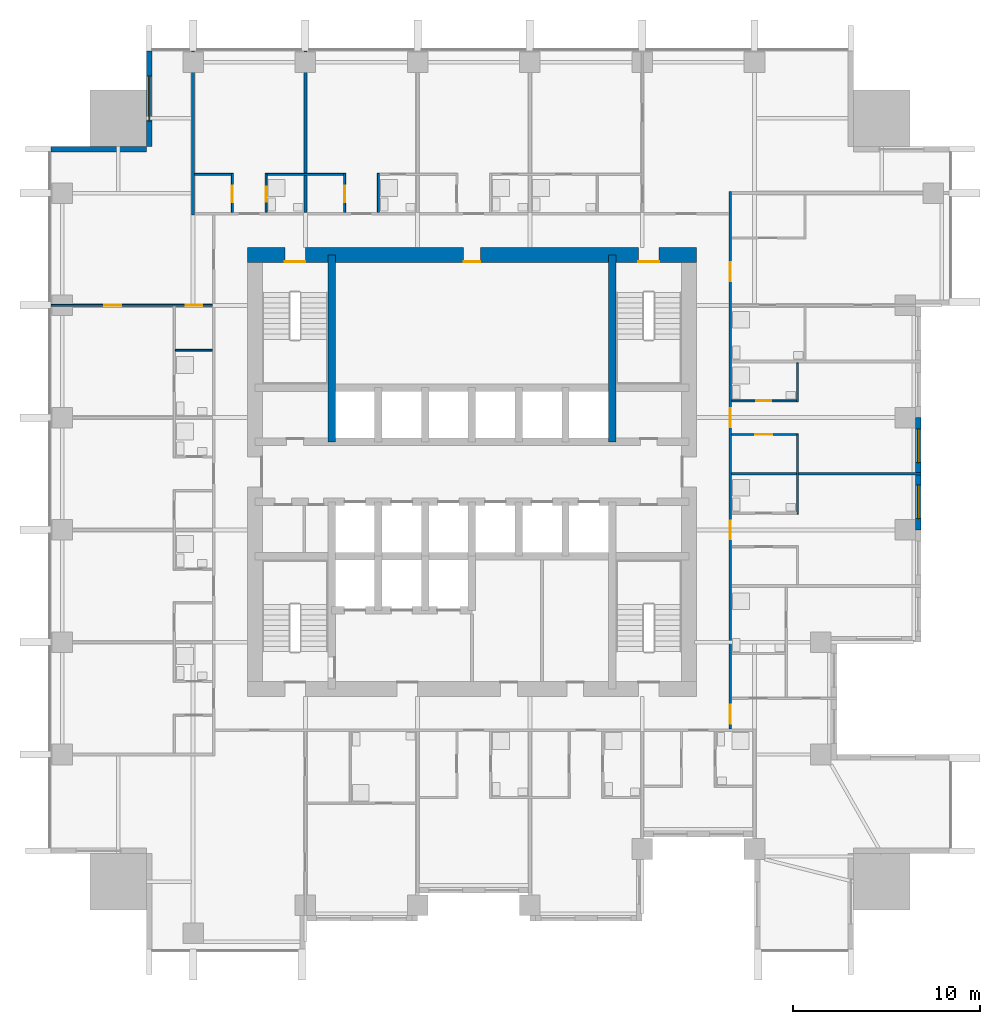
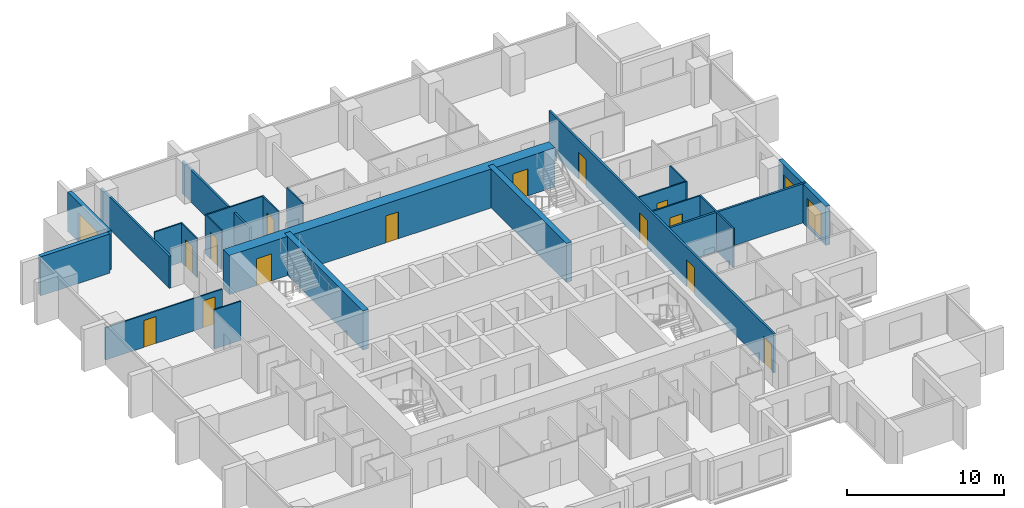
# One storey, part 7 of 11: 22 walls, 14 doors, 3 windows, 17 openings.
"""IFC4 building model written with IfcOpenShell, lengths in metres."""

from ifc_helpers import new_model, si_unit, direction, frame, frame_2d, origin, place, context, subcontext, project, spatial, rectangle, extrude, material, layer, layer_set, type_object, element, fill, save


model = new_model("IFC4")

# Units and contexts
model_context = context("Model", 3, precision=1e-05, world=origin(), true_north=direction((0.0, 1.0)))
body_context = subcontext(model_context, "Body", "Model", "MODEL_VIEW")
ifc_project = project(units=[si_unit("LENGTHUNIT", "METRE"), si_unit("AREAUNIT", "SQUARE_METRE"), si_unit("VOLUMEUNIT", "CUBIC_METRE"), si_unit("PLANEANGLEUNIT", "RADIAN"), si_unit("MASSUNIT", "GRAM", prefix="KILO")], contexts=[model_context])

# Site, building, storey
site_placement = place(None, origin())
site = spatial("IfcSite", under=ifc_project, at=site_placement, CompositionType="ELEMENT")
building_placement = place(site_placement, origin())
building = spatial("IfcBuilding", under=site, at=building_placement, Name="Amberfall Residences", CompositionType="ELEMENT")
storey_placement = place(building_placement, frame((0.0, 0.0, 91.89990234375)))
storey = spatial("IfcBuildingStorey", under=building, at=storey_placement, Name="L24", CompositionType="ELEMENT", Elevation=91.89990234375)

# Wall, opening, window
ifc_material_1 = material(Name="Pale stone cladding on insulated backing", Category="masonry")
ifc_layer_1 = layer(ifc_material_1, 0.300048828125)
ifc_layer_set_1 = layer_set([ifc_layer_1], Name="Bronze clad wall 300")
wall_type_1 = type_object("IfcWallType", Name="Bronze clad wall 300", PredefinedType="SOLIDWALL", material=ifc_layer_set_1)
wall_1_placement = place(storey_placement, frame((57.25, 68.0, 0.0), z_axis=(0.0, 0.0, 1.0), x_axis=(0.0, -1.0, 0.0)))
wall_1 = element("IfcWall", 1, at=wall_1_placement, inside=storey, type_object=wall_type_1, Name="External wall L24 NW", PredefinedType="SOLIDWALL", context=body_context, shape_type="SweptSolid", body=[
    extrude(rectangle(XDim=5.10009765625, YDim=0.300048828125, at=frame_2d((2.550048828125, 0.0))), origin(), (0.0, 0.0, 1.0), 3.050048828125),
])
opening_1_placement = place(wall_1_placement, frame((1.35009765625, 0.0, 0.14990234375)))
opening_1 = element("IfcOpeningElement", 2, at=opening_1_placement, cuts=wall_1, Name="Opening WN5", PredefinedType="OPENING", context=body_context, shape_type="SweptSolid", body=[
    extrude(rectangle(XDim=2.39990234375, YDim=2.10009765625, at=frame_2d((1.199951171875, 1.050048828125))), frame((0.0, 0.159912109375, 0.0), z_axis=(0.0, -1.0, 0.0), x_axis=(1.0, 0.0, 0.0)), (0.0, 0.0, 1.0), 0.320068359375),
])
ifc_material_2 = material(Name="Bronze aluminium framed glazing", Category="aluminium")
window_type_1 = type_object("IfcWindowType", Name="Glazed opening 2400 x 2100 bronze", PartitioningType="DOUBLE_PANEL_VERTICAL", PredefinedType="WINDOW", material=ifc_material_2)
window_1_placement = place(opening_1_placement, origin())
window_1 = element("IfcWindow", 3, at=window_1_placement, inside=storey, type_object=window_type_1, Name="Window L24 NW", OverallHeight=2.10009765625, OverallWidth=2.39990234375, PartitioningType="DOUBLE_PANEL_VERTICAL", PredefinedType="WINDOW", context=body_context, shape_type="SweptSolid", body=[
    extrude(rectangle(XDim=2.39990234375, YDim=2.10009765625, at=frame_2d((1.199951171875, 1.050048828125))), frame((0.0, 0.030029296875, 0.0), z_axis=(0.0, -1.0, 0.0), x_axis=(1.0, 0.0, 0.0)), (0.0, 0.0, 1.0), 0.06005859375),
])
fill(opening_1, window_1)

# Wall
wall_2_placement = place(storey_placement, frame((57.10009765625, 62.75, 0.0), z_axis=(0.0, 0.0, 1.0), x_axis=(-1.0, 0.0, 0.0)))
element("IfcWall", 4, at=wall_2_placement, inside=storey, type_object=wall_type_1, Name="External wall L24 NW", PredefinedType="SOLIDWALL", context=body_context, shape_type="SweptSolid", body=[
    extrude(rectangle(XDim=5.10009765625, YDim=0.300048828125, at=frame_2d((2.550048828125, 0.0))), origin(), (0.0, 0.0, 1.0), 3.050048828125),
])

# Wall, openings, windows
wall_3_placement = place(storey_placement, frame((98.35009765625, 42.39990234375, 0.0), z_axis=(0.0, 0.0, 1.0), x_axis=(0.0, 1.0, 0.0)))
wall_3 = element("IfcWall", 5, at=wall_3_placement, inside=storey, type_object=wall_type_1, Name="Stone wall L24 E", PredefinedType="SOLIDWALL", context=body_context, shape_type="SweptSolid", body=[
    extrude(rectangle(XDim=6.0, YDim=0.300048828125, at=frame_2d((3.0, 0.0))), origin(), (0.0, 0.0, 1.0), 3.050048828125),
])
opening_2_placement = place(wall_3_placement, frame((0.60009765625, 0.0, 0.14990234375)))
opening_2 = element("IfcOpeningElement", 6, at=opening_2_placement, cuts=wall_3, Name="Opening WN6", PredefinedType="OPENING", context=body_context, shape_type="SweptSolid", body=[
    extrude(rectangle(XDim=1.800048828125, YDim=2.10009765625, at=frame_2d((0.89990234375, 1.050048828125))), frame((0.0, 0.159912109375, 0.0), z_axis=(0.0, -1.0, 0.0), x_axis=(1.0, 0.0, 0.0)), (0.0, 0.0, 1.0), 0.320068359375),
])
opening_3_placement = place(wall_3_placement, frame((3.60009765625, 0.0, 0.14990234375)))
opening_3 = element("IfcOpeningElement", 7, at=opening_3_placement, cuts=wall_3, Name="Opening WN6", PredefinedType="OPENING", context=body_context, shape_type="SweptSolid", body=[
    extrude(rectangle(XDim=1.800048828125, YDim=2.10009765625, at=frame_2d((0.89990234375, 1.050048828125))), frame((0.0, 0.159912109375, 0.0), z_axis=(0.0, -1.0, 0.0), x_axis=(1.0, 0.0, 0.0)), (0.0, 0.0, 1.0), 0.320068359375),
])
window_type_2 = type_object("IfcWindowType", Name="Glazed opening 1800 x 2100 bronze", PartitioningType="DOUBLE_PANEL_VERTICAL", PredefinedType="WINDOW", material=ifc_material_2)
window_2_placement = place(opening_2_placement, origin())
window_2 = element("IfcWindow", 8, at=window_2_placement, inside=storey, type_object=window_type_2, Name="Window L24 E", OverallHeight=2.10009765625, OverallWidth=1.800048828125, PartitioningType="DOUBLE_PANEL_VERTICAL", PredefinedType="WINDOW", context=body_context, shape_type="SweptSolid", body=[
    extrude(rectangle(XDim=1.800048828125, YDim=2.10009765625, at=frame_2d((0.89990234375, 1.050048828125))), frame((0.0, 0.030029296875, 0.0), z_axis=(0.0, -1.0, 0.0), x_axis=(1.0, 0.0, 0.0)), (0.0, 0.0, 1.0), 0.06005859375),
])
fill(opening_2, window_2)
window_3_placement = place(opening_3_placement, origin())
window_3 = element("IfcWindow", 9, at=window_3_placement, inside=storey, type_object=window_type_2, Name="Window L24 E", OverallHeight=2.10009765625, OverallWidth=1.800048828125, PartitioningType="DOUBLE_PANEL_VERTICAL", PredefinedType="WINDOW", context=body_context, shape_type="SweptSolid", body=[
    extrude(rectangle(XDim=1.800048828125, YDim=2.10009765625, at=frame_2d((0.89990234375, 1.050048828125))), frame((0.0, 0.030029296875, 0.0), z_axis=(0.0, -1.0, 0.0), x_axis=(1.0, 0.0, 0.0)), (0.0, 0.0, 1.0), 0.06005859375),
])
fill(opening_3, window_3)

# Walls
ifc_material_3 = material(Name="Concrete C70", Category="concrete")
ifc_layer_2 = layer(ifc_material_3, 0.39990234375)
ifc_layer_set_2 = layer_set([ifc_layer_2], Name="Core wall 400 C70")
wall_type_2 = type_object("IfcWallType", Name="Core wall 400 C70", PredefinedType="SHEAR", material=ifc_layer_set_2)
for number, where, z_axis, x_axis, name in (
    (10, (67.0, 47.10009765625, 0.0), (0.0, 0.0, 1.0), (0.0, 1.0, 0.0), "Core wall RW4 L24 V45N"),
    (11, (82.0, 47.10009765625, 0.0), (0.0, 0.0, 1.0), (0.0, 1.0, 0.0), "Core wall RW4 L24 V195N"),
):
    element("IfcWall", number, at=place(storey_placement, frame(where, z_axis=z_axis, x_axis=x_axis)), inside=storey, type_object=wall_type_2, Name=name, PredefinedType="SHEAR", context=body_context, shape_type="SweptSolid", body=[
        extrude(rectangle(XDim=10.0, YDim=0.39990234375, at=frame_2d((5.0, 0.0))), origin(), (0.0, 0.0, 1.0), 3.050048828125),
    ])

# Wall, openings, doors
ifc_layer_3 = layer(ifc_material_3, 0.800048828125)
ifc_layer_set_3 = layer_set([ifc_layer_3], Name="Core wall 800 C70")
wall_type_3 = type_object("IfcWallType", Name="Core wall 800 C70", PredefinedType="SHEAR", material=ifc_layer_set_3)
wall_4_placement = place(storey_placement, frame((62.5, 57.10009765625, 0.0), z_axis=(0.0, 0.0, 1.0), x_axis=(1.0, 0.0, 0.0)))
wall_4 = element("IfcWall", 12, at=wall_4_placement, inside=storey, type_object=wall_type_3, Name="Core wall RW3 L24 ON", PredefinedType="SHEAR", context=body_context, shape_type="SweptSolid", body=[
    extrude(rectangle(XDim=24.0, YDim=0.800048828125, at=frame_2d((12.0, 0.0))), origin(), (0.0, 0.0, 1.0), 3.050048828125),
])
opening_4_placement = place(wall_4_placement, frame((20.89990234375, 0.0, 0.0)))
opening_4 = element("IfcOpeningElement", 13, at=opening_4_placement, cuts=wall_4, Name="Opening SD1", PredefinedType="OPENING", context=body_context, shape_type="SweptSolid", body=[
    extrude(rectangle(XDim=1.10009765625, YDim=2.10009765625, at=frame_2d((0.550048828125, 1.050048828125))), frame((0.0, 0.409912109375, 0.0), z_axis=(0.0, -1.0, 0.0), x_axis=(1.0, 0.0, 0.0)), (0.0, 0.0, 1.0), 0.820068359375),
])
opening_5_placement = place(wall_4_placement, frame((2.0, 0.0, 0.0)))
opening_5 = element("IfcOpeningElement", 14, at=opening_5_placement, cuts=wall_4, Name="Opening SD1", PredefinedType="OPENING", context=body_context, shape_type="SweptSolid", body=[
    extrude(rectangle(XDim=1.10009765625, YDim=2.10009765625, at=frame_2d((0.550048828125, 1.050048828125))), frame((0.0, 0.409912109375, 0.0), z_axis=(0.0, -1.0, 0.0), x_axis=(1.0, 0.0, 0.0)), (0.0, 0.0, 1.0), 0.820068359375),
])
opening_6_placement = place(wall_4_placement, frame((11.550048828125, 0.0, 0.0)))
opening_6 = element("IfcOpeningElement", 15, at=opening_6_placement, cuts=wall_4, Name="Opening RD1", PredefinedType="OPENING", context=body_context, shape_type="SweptSolid", body=[
    extrude(rectangle(XDim=0.89990234375, YDim=2.10009765625, at=frame_2d((0.449951171875, 1.050048828125))), frame((0.0, 0.409912109375, 0.0), z_axis=(0.0, -1.0, 0.0), x_axis=(1.0, 0.0, 0.0)), (0.0, 0.0, 1.0), 0.820068359375),
])
ifc_material_4 = material(Name="Steel fire door set", Category="steel")
door_type_1 = type_object("IfcDoorType", Name="Service room door 900 x 2100", OperationType="SINGLE_SWING_LEFT", PredefinedType="DOOR", material=ifc_material_4)
door_1_placement = place(opening_6_placement, origin())
door_1 = element("IfcDoor", 16, at=door_1_placement, inside=storey, type_object=door_type_1, Name="RD1 L24", OperationType="SINGLE_SWING_RIGHT", OverallHeight=2.10009765625, OverallWidth=0.89990234375, PredefinedType="DOOR", context=body_context, shape_type="SweptSolid", body=[
    extrude(rectangle(XDim=0.89990234375, YDim=2.10009765625, at=frame_2d((0.449951171875, 1.050048828125))), frame((0.0, -0.33740234375, 0.0), z_axis=(0.0, -1.0, 0.0), x_axis=(1.0, 0.0, 0.0)), (0.0, 0.0, 1.0), 0.050048828125),
])
fill(opening_6, door_1)
door_type_2 = type_object("IfcDoorType", Name="Stair door 1100 x 2100", OperationType="SINGLE_SWING_LEFT", PredefinedType="DOOR", material=ifc_material_4)
door_2_placement = place(opening_4_placement, origin())
door_2 = element("IfcDoor", 17, at=door_2_placement, inside=storey, type_object=door_type_2, Name="SD1 L24", OperationType="SINGLE_SWING_RIGHT", OverallHeight=2.10009765625, OverallWidth=1.10009765625, PredefinedType="DOOR", context=body_context, shape_type="SweptSolid", body=[
    extrude(rectangle(XDim=1.10009765625, YDim=2.10009765625, at=frame_2d((0.550048828125, 1.050048828125))), frame((0.0, -0.33740234375, 0.0), z_axis=(0.0, -1.0, 0.0), x_axis=(1.0, 0.0, 0.0)), (0.0, 0.0, 1.0), 0.050048828125),
])
fill(opening_4, door_2)
door_3_placement = place(opening_5_placement, origin())
door_3 = element("IfcDoor", 18, at=door_3_placement, inside=storey, type_object=door_type_2, Name="SD1 L24", OperationType="SINGLE_SWING_LEFT", OverallHeight=2.10009765625, OverallWidth=1.10009765625, PredefinedType="DOOR", context=body_context, shape_type="SweptSolid", body=[
    extrude(rectangle(XDim=1.10009765625, YDim=2.10009765625, at=frame_2d((0.550048828125, 1.050048828125))), frame((0.0, -0.33740234375, 0.0), z_axis=(0.0, -1.0, 0.0), x_axis=(1.0, 0.0, 0.0)), (0.0, 0.0, 1.0), 0.050048828125),
])
fill(opening_5, door_3)

# Wall, opening, door
ifc_material_5 = material(Name="Gypsum board on metal stud")
ifc_layer_4 = layer(ifc_material_5, 0.10009765625)
ifc_layer_set_4 = layer_set([ifc_layer_4], Name="Flat partition 100")
wall_type_4 = type_object("IfcWallType", Name="Flat partition 100", PredefinedType="PARTITIONING", material=ifc_layer_set_4)
wall_5_placement = place(storey_placement, frame((61.699951171875, 59.375, 0.0), z_axis=(0.0, 0.0, 1.0), x_axis=(0.0, 1.0, 0.0)))
wall_5 = element("IfcWall", 19, at=wall_5_placement, inside=storey, type_object=wall_type_4, Name="Partition 005", PredefinedType="PARTITIONING", context=body_context, shape_type="SweptSolid", body=[
    extrude(rectangle(XDim=2.074951171875, YDim=0.10009765625, at=frame_2d((1.03759765625, 0.0))), origin(), (0.0, 0.0, 1.0), 3.050048828125),
])
opening_7_placement = place(wall_5_placement, frame((0.52490234375, 0.0, 0.0)))
opening_7 = element("IfcOpeningElement", 20, at=opening_7_placement, cuts=wall_5, Name="Opening D41", PredefinedType="OPENING", context=body_context, shape_type="SweptSolid", body=[
    extrude(rectangle(XDim=0.89990234375, YDim=2.10009765625, at=frame_2d((0.449951171875, 1.050048828125))), frame((0.0, 0.06005859375, 0.0), z_axis=(0.0, -1.0, 0.0), x_axis=(1.0, 0.0, 0.0)), (0.0, 0.0, 1.0), 0.1201171875),
])
ifc_material_6 = material(Name="Timber", Category="wood")
door_type_3 = type_object("IfcDoorType", Name="Internal door 900 x 2100", OperationType="SINGLE_SWING_LEFT", PredefinedType="DOOR", material=ifc_material_6)
door_4_placement = place(opening_7_placement, origin())
door_4 = element("IfcDoor", 21, at=door_4_placement, inside=storey, type_object=door_type_3, Name="Door 2409 kitchen", OperationType="SINGLE_SWING_LEFT", OverallHeight=2.10009765625, OverallWidth=0.89990234375, PredefinedType="DOOR", context=body_context, shape_type="SweptSolid", body=[
    extrude(rectangle(XDim=0.89990234375, YDim=2.10009765625, at=frame_2d((0.449951171875, 1.050048828125))), frame((0.0, 0.02490234375, 0.0), z_axis=(0.0, -1.0, 0.0), x_axis=(1.0, 0.0, 0.0)), (0.0, 0.0, 1.0), 0.050048828125),
])
fill(opening_7, door_4)

wall_6_placement = place(storey_placement, frame((63.5, 61.449951171875, 0.0), z_axis=(0.0, 0.0, 1.0), x_axis=(0.0, -1.0, 0.0)))
wall_6 = element("IfcWall", 22, at=wall_6_placement, inside=storey, type_object=wall_type_4, Name="Partition 006", PredefinedType="PARTITIONING", context=body_context, shape_type="SweptSolid", body=[
    extrude(rectangle(XDim=2.074951171875, YDim=0.10009765625, at=frame_2d((1.03759765625, 0.0))), origin(), (0.0, 0.0, 1.0), 3.050048828125),
])
opening_8_placement = place(wall_6_placement, frame((0.699951171875, 0.0, 0.0)))
opening_8 = element("IfcOpeningElement", 23, at=opening_8_placement, cuts=wall_6, Name="Opening D42", PredefinedType="OPENING", context=body_context, shape_type="SweptSolid", body=[
    extrude(rectangle(XDim=0.800048828125, YDim=2.10009765625, at=frame_2d((0.39990234375, 1.050048828125))), frame((0.0, 0.06005859375, 0.0), z_axis=(0.0, -1.0, 0.0), x_axis=(1.0, 0.0, 0.0)), (0.0, 0.0, 1.0), 0.1201171875),
])
door_type_4 = type_object("IfcDoorType", Name="Bathroom door 800 x 2100", OperationType="SINGLE_SWING_LEFT", PredefinedType="DOOR", material=ifc_material_6)
door_5_placement = place(opening_8_placement, origin())
door_5 = element("IfcDoor", 24, at=door_5_placement, inside=storey, type_object=door_type_4, Name="Door 2409 bath1", OperationType="SINGLE_SWING_LEFT", OverallHeight=2.10009765625, OverallWidth=0.800048828125, PredefinedType="DOOR", context=body_context, shape_type="SweptSolid", body=[
    extrude(rectangle(XDim=0.800048828125, YDim=2.10009765625, at=frame_2d((0.39990234375, 1.050048828125))), frame((0.0, 0.02490234375, 0.0), z_axis=(0.0, -1.0, 0.0), x_axis=(1.0, 0.0, 0.0)), (0.0, 0.0, 1.0), 0.050048828125),
])
fill(opening_8, door_5)

wall_7_placement = place(storey_placement, frame((67.699951171875, 59.375, 0.0), z_axis=(0.0, 0.0, 1.0), x_axis=(0.0, 1.0, 0.0)))
wall_7 = element("IfcWall", 25, at=wall_7_placement, inside=storey, type_object=wall_type_4, Name="Partition 008", PredefinedType="PARTITIONING", context=body_context, shape_type="SweptSolid", body=[
    extrude(rectangle(XDim=2.074951171875, YDim=0.10009765625, at=frame_2d((1.03759765625, 0.0))), origin(), (0.0, 0.0, 1.0), 3.050048828125),
])
opening_9_placement = place(wall_7_placement, frame((0.52490234375, 0.0, 0.0)))
opening_9 = element("IfcOpeningElement", 26, at=opening_9_placement, cuts=wall_7, Name="Opening D41", PredefinedType="OPENING", context=body_context, shape_type="SweptSolid", body=[
    extrude(rectangle(XDim=0.89990234375, YDim=2.10009765625, at=frame_2d((0.449951171875, 1.050048828125))), frame((0.0, 0.06005859375, 0.0), z_axis=(0.0, -1.0, 0.0), x_axis=(1.0, 0.0, 0.0)), (0.0, 0.0, 1.0), 0.1201171875),
])
door_6_placement = place(opening_9_placement, origin())
door_6 = element("IfcDoor", 27, at=door_6_placement, inside=storey, type_object=door_type_3, Name="Door 2410 kitchen", OperationType="SINGLE_SWING_LEFT", OverallHeight=2.10009765625, OverallWidth=0.89990234375, PredefinedType="DOOR", context=body_context, shape_type="SweptSolid", body=[
    extrude(rectangle(XDim=0.89990234375, YDim=2.10009765625, at=frame_2d((0.449951171875, 1.050048828125))), frame((0.0, 0.02490234375, 0.0), z_axis=(0.0, -1.0, 0.0), x_axis=(1.0, 0.0, 0.0)), (0.0, 0.0, 1.0), 0.050048828125),
])
fill(opening_9, door_6)

# Walls
wall_8_placement = place(storey_placement, frame((69.5, 59.375, 0.0), z_axis=(0.0, 0.0, 1.0), x_axis=(0.0, 1.0, 0.0)))
element("IfcWall", 28, at=wall_8_placement, inside=storey, type_object=wall_type_4, Name="Partition 010", PredefinedType="PARTITIONING", context=body_context, shape_type="SweptSolid", body=[
    extrude(rectangle(XDim=2.074951171875, YDim=0.10009765625, at=frame_2d((1.03759765625, 0.0))), origin(), (0.0, 0.0, 1.0), 3.050048828125),
])
wall_9_placement = place(storey_placement, frame((91.89990234375, 43.25, 0.0), z_axis=(0.0, 0.0, 1.0), x_axis=(0.0, 1.0, 0.0)))
element("IfcWall", 29, at=wall_9_placement, inside=storey, type_object=wall_type_4, Name="Partition 023", PredefinedType="PARTITIONING", context=body_context, shape_type="SweptSolid", body=[
    extrude(rectangle(XDim=4.300048828125, YDim=0.10009765625, at=frame_2d((2.14990234375, 0.0))), origin(), (0.0, 0.0, 1.0), 3.050048828125),
])
wall_10_placement = place(storey_placement, frame((91.89990234375, 49.25, 0.0), z_axis=(0.0, 0.0, 1.0), x_axis=(0.0, 1.0, 0.0)))
element("IfcWall", 30, at=wall_10_placement, inside=storey, type_object=wall_type_4, Name="Partition 024", PredefinedType="PARTITIONING", context=body_context, shape_type="SweptSolid", body=[
    extrude(rectangle(XDim=2.074951171875, YDim=0.10009765625, at=frame_2d((1.03759765625, 0.0))), origin(), (0.0, 0.0, 1.0), 3.050048828125),
])
wall_11_placement = place(storey_placement, frame((59.675048828125, 61.39990234375, 0.0), z_axis=(0.0, 0.0, 1.0), x_axis=(1.0, 0.0, 0.0)))
element("IfcWall", 31, at=wall_11_placement, inside=storey, type_object=wall_type_4, Name="Partition 027", PredefinedType="PARTITIONING", context=body_context, shape_type="SweptSolid", body=[
    extrude(rectangle(XDim=1.974853515625, YDim=0.10009765625, at=frame_2d((0.9873046875, 0.0))), origin(), (0.0, 0.0, 1.0), 3.050048828125),
])
wall_12_placement = place(storey_placement, frame((63.550048828125, 61.39990234375, 0.0), z_axis=(0.0, 0.0, 1.0), x_axis=(1.0, 0.0, 0.0)))
element("IfcWall", 32, at=wall_12_placement, inside=storey, type_object=wall_type_4, Name="Partition 028", PredefinedType="PARTITIONING", context=body_context, shape_type="SweptSolid", body=[
    extrude(rectangle(XDim=4.099853515625, YDim=0.10009765625, at=frame_2d((2.0498046875, 0.0))), origin(), (0.0, 0.0, 1.0), 3.050048828125),
])

# Wall, openings, doors
wall_13_placement = place(storey_placement, frame((60.625, 54.39990234375, 0.0), z_axis=(0.0, 0.0, 1.0), x_axis=(-1.0, 0.0, 0.0)))
wall_13 = element("IfcWall", 33, at=wall_13_placement, inside=storey, type_object=wall_type_4, Name="Partition 032", PredefinedType="PARTITIONING", context=body_context, shape_type="SweptSolid", body=[
    extrude(rectangle(XDim=8.625, YDim=0.10009765625, at=frame_2d((4.3125, 0.0))), origin(), (0.0, 0.0, 1.0), 2.51611328125),
])
opening_10_placement = place(wall_13_placement, frame((0.52490234375, 0.0, 0.0)))
opening_10 = element("IfcOpeningElement", 34, at=opening_10_placement, cuts=wall_13, Name="Opening D41", PredefinedType="OPENING", context=body_context, shape_type="SweptSolid", body=[
    extrude(rectangle(XDim=0.89990234375, YDim=2.10009765625, at=frame_2d((0.449951171875, 1.050048828125))), frame((0.0, 0.06005859375, 0.0), z_axis=(0.0, -1.0, 0.0), x_axis=(1.0, 0.0, 0.0)), (0.0, 0.0, 1.0), 0.1201171875),
])
opening_11_placement = place(wall_13_placement, frame((4.875, 0.0, 0.0)))
opening_11 = element("IfcOpeningElement", 35, at=opening_11_placement, cuts=wall_13, Name="Opening D41", PredefinedType="OPENING", context=body_context, shape_type="SweptSolid", body=[
    extrude(rectangle(XDim=0.89990234375, YDim=2.10009765625, at=frame_2d((0.449951171875, 1.050048828125))), frame((0.0, 0.06005859375, 0.0), z_axis=(0.0, -1.0, 0.0), x_axis=(1.0, 0.0, 0.0)), (0.0, 0.0, 1.0), 0.1201171875),
])
door_7_placement = place(opening_10_placement, origin())
door_7 = element("IfcDoor", 36, at=door_7_placement, inside=storey, type_object=door_type_3, Name="Door 2416 kitchen", OperationType="SINGLE_SWING_LEFT", OverallHeight=2.10009765625, OverallWidth=0.89990234375, PredefinedType="DOOR", context=body_context, shape_type="SweptSolid", body=[
    extrude(rectangle(XDim=0.89990234375, YDim=2.10009765625, at=frame_2d((0.449951171875, 1.050048828125))), frame((0.0, 0.02490234375, 0.0), z_axis=(0.0, -1.0, 0.0), x_axis=(1.0, 0.0, 0.0)), (0.0, 0.0, 1.0), 0.050048828125),
])
fill(opening_10, door_7)
door_8_placement = place(opening_11_placement, origin())
door_8 = element("IfcDoor", 37, at=door_8_placement, inside=storey, type_object=door_type_3, Name="Door 2416 bedroom1", OperationType="SINGLE_SWING_LEFT", OverallHeight=2.10009765625, OverallWidth=0.89990234375, PredefinedType="DOOR", context=body_context, shape_type="SweptSolid", body=[
    extrude(rectangle(XDim=0.89990234375, YDim=2.10009765625, at=frame_2d((0.449951171875, 1.050048828125))), frame((0.0, 0.02490234375, 0.0), z_axis=(0.0, -1.0, 0.0), x_axis=(1.0, 0.0, 0.0)), (0.0, 0.0, 1.0), 0.050048828125),
])
fill(opening_11, door_8)

# Wall
wall_14_placement = place(storey_placement, frame((58.64990234375, 52.0, 0.0), z_axis=(0.0, 0.0, 1.0), x_axis=(1.0, 0.0, 0.0)))
element("IfcWall", 38, at=wall_14_placement, inside=storey, type_object=wall_type_4, Name="Partition 034", PredefinedType="PARTITIONING", context=body_context, shape_type="SweptSolid", body=[
    extrude(rectangle(XDim=1.97509765625, YDim=0.10009765625, at=frame_2d((0.987548828125, 0.0))), origin(), (0.0, 0.0, 1.0), 3.050048828125),
])

# Wall, opening, door
wall_15_placement = place(storey_placement, frame((88.375, 49.300048828125, 0.0), z_axis=(0.0, 0.0, 1.0), x_axis=(1.0, 0.0, 0.0)))
wall_15 = element("IfcWall", 39, at=wall_15_placement, inside=storey, type_object=wall_type_4, Name="Partition 035", PredefinedType="PARTITIONING", context=body_context, shape_type="SweptSolid", body=[
    extrude(rectangle(XDim=3.47509765625, YDim=0.10009765625, at=frame_2d((1.737548828125, 0.0))), origin(), (0.0, 0.0, 1.0), 3.050048828125),
])
opening_12_placement = place(wall_15_placement, frame((1.324951171875, 0.0, 0.0)))
opening_12 = element("IfcOpeningElement", 40, at=opening_12_placement, cuts=wall_15, Name="Opening D42", PredefinedType="OPENING", context=body_context, shape_type="SweptSolid", body=[
    extrude(rectangle(XDim=0.800048828125, YDim=2.10009765625, at=frame_2d((0.39990234375, 1.050048828125))), frame((0.0, 0.06005859375, 0.0), z_axis=(0.0, -1.0, 0.0), x_axis=(1.0, 0.0, 0.0)), (0.0, 0.0, 1.0), 0.1201171875),
])
door_9_placement = place(opening_12_placement, origin())
door_9 = element("IfcDoor", 41, at=door_9_placement, inside=storey, type_object=door_type_4, Name="Door 2407 bath1", OperationType="SINGLE_SWING_LEFT", OverallHeight=2.10009765625, OverallWidth=0.800048828125, PredefinedType="DOOR", context=body_context, shape_type="SweptSolid", body=[
    extrude(rectangle(XDim=0.800048828125, YDim=2.10009765625, at=frame_2d((0.39990234375, 1.050048828125))), frame((0.0, 0.02490234375, 0.0), z_axis=(0.0, -1.0, 0.0), x_axis=(1.0, 0.0, 0.0)), (0.0, 0.0, 1.0), 0.050048828125),
])
fill(opening_12, door_9)

wall_16_placement = place(storey_placement, frame((91.85009765625, 47.5, 0.0), z_axis=(0.0, 0.0, 1.0), x_axis=(-1.0, 0.0, 0.0)))
wall_16 = element("IfcWall", 42, at=wall_16_placement, inside=storey, type_object=wall_type_4, Name="Partition 036", PredefinedType="PARTITIONING", context=body_context, shape_type="SweptSolid", body=[
    extrude(rectangle(XDim=3.47509765625, YDim=0.10009765625, at=frame_2d((1.737548828125, 0.0))), origin(), (0.0, 0.0, 1.0), 3.050048828125),
])
opening_13_placement = place(wall_16_placement, frame((1.300048828125, 0.0, 0.0)))
opening_13 = element("IfcOpeningElement", 43, at=opening_13_placement, cuts=wall_16, Name="Opening D41", PredefinedType="OPENING", context=body_context, shape_type="SweptSolid", body=[
    extrude(rectangle(XDim=0.89990234375, YDim=2.10009765625, at=frame_2d((0.449951171875, 1.050048828125))), frame((0.0, 0.06005859375, 0.0), z_axis=(0.0, -1.0, 0.0), x_axis=(1.0, 0.0, 0.0)), (0.0, 0.0, 1.0), 0.1201171875),
])
door_10_placement = place(opening_13_placement, origin())
door_10 = element("IfcDoor", 44, at=door_10_placement, inside=storey, type_object=door_type_3, Name="Door 2407 kitchen", OperationType="SINGLE_SWING_LEFT", OverallHeight=2.10009765625, OverallWidth=0.89990234375, PredefinedType="DOOR", context=body_context, shape_type="SweptSolid", body=[
    extrude(rectangle(XDim=0.89990234375, YDim=2.10009765625, at=frame_2d((0.449951171875, 1.050048828125))), frame((0.0, 0.02490234375, 0.0), z_axis=(0.0, -1.0, 0.0), x_axis=(1.0, 0.0, 0.0)), (0.0, 0.0, 1.0), 0.050048828125),
])
fill(opening_13, door_10)

# Walls
ifc_material_7 = material(Name="Blockwork, plastered", Category="masonry")
ifc_layer_5 = layer(ifc_material_7, 0.14990234375)
ifc_layer_set_5 = layer_set([ifc_layer_5], Name="Flat separating wall 150")
wall_type_5 = type_object("IfcWallType", Name="Flat separating wall 150", PredefinedType="PARTITIONING", material=ifc_layer_set_5)
wall_17_placement = place(storey_placement, frame((59.60009765625, 59.22509765625, 0.0), z_axis=(0.0, 0.0, 1.0), x_axis=(0.0, 1.0, 0.0)))
element("IfcWall", 45, at=wall_17_placement, inside=storey, type_object=wall_type_5, Name="Separating wall 053", PredefinedType="PARTITIONING", context=body_context, shape_type="SweptSolid", body=[
    extrude(rectangle(XDim=8.77490234375, YDim=0.14990234375, at=frame_2d((4.387451171875, 0.0))), origin(), (0.0, 0.0, 1.0), 2.510009765625),
])
wall_18_placement = place(storey_placement, frame((65.60009765625, 59.375, 0.0), z_axis=(0.0, 0.0, 1.0), x_axis=(0.0, 1.0, 0.0)))
element("IfcWall", 46, at=wall_18_placement, inside=storey, type_object=wall_type_5, Name="Separating wall 055", PredefinedType="PARTITIONING", context=body_context, shape_type="SweptSolid", body=[
    extrude(rectangle(XDim=8.625, YDim=0.14990234375, at=frame_2d((4.3125, 0.0))), origin(), (0.0, 0.0, 1.0), 2.51611328125),
])

# Wall, openings, doors
wall_19_placement = place(storey_placement, frame((88.300048828125, 60.47509765625, 0.0), z_axis=(0.0, 0.0, 1.0), x_axis=(0.0, -1.0, 0.0)))
wall_19 = element("IfcWall", 47, at=wall_19_placement, inside=storey, type_object=wall_type_5, Name="Separating wall 061", PredefinedType="PARTITIONING", context=body_context, shape_type="SweptSolid", body=[
    extrude(rectangle(XDim=28.7001953125, YDim=0.14990234375, at=frame_2d((14.35009765625, 0.0))), origin(), (0.0, 0.0, 1.0), 3.050048828125),
])
opening_14_placement = place(wall_19_placement, frame((27.425048828125, 0.0, 0.0)))
opening_14 = element("IfcOpeningElement", 48, at=opening_14_placement, cuts=wall_19, Name="Opening D40", PredefinedType="OPENING", context=body_context, shape_type="SweptSolid", body=[
    extrude(rectangle(XDim=1.0, YDim=2.10009765625, at=frame_2d((0.5, 1.050048828125))), frame((0.0, 0.0849609375, 0.0), z_axis=(0.0, -1.0, 0.0), x_axis=(1.0, 0.0, 0.0)), (0.0, 0.0, 1.0), 0.169921875),
])
opening_15_placement = place(wall_19_placement, frame((17.574951171875, 0.0, 0.0)))
opening_15 = element("IfcOpeningElement", 49, at=opening_15_placement, cuts=wall_19, Name="Opening D40", PredefinedType="OPENING", context=body_context, shape_type="SweptSolid", body=[
    extrude(rectangle(XDim=1.0, YDim=2.10009765625, at=frame_2d((0.5, 1.050048828125))), frame((0.0, 0.0849609375, 0.0), z_axis=(0.0, -1.0, 0.0), x_axis=(1.0, 0.0, 0.0)), (0.0, 0.0, 1.0), 0.169921875),
])
opening_16_placement = place(wall_19_placement, frame((11.574951171875, 0.0, 0.0)))
opening_16 = element("IfcOpeningElement", 50, at=opening_16_placement, cuts=wall_19, Name="Opening D40", PredefinedType="OPENING", context=body_context, shape_type="SweptSolid", body=[
    extrude(rectangle(XDim=1.0, YDim=2.10009765625, at=frame_2d((0.5, 1.050048828125))), frame((0.0, 0.0849609375, 0.0), z_axis=(0.0, -1.0, 0.0), x_axis=(1.0, 0.0, 0.0)), (0.0, 0.0, 1.0), 0.169921875),
])
opening_17_placement = place(wall_19_placement, frame((3.77490234375, 0.0, 0.0)))
opening_17 = element("IfcOpeningElement", 51, at=opening_17_placement, cuts=wall_19, Name="Opening D40", PredefinedType="OPENING", context=body_context, shape_type="SweptSolid", body=[
    extrude(rectangle(XDim=1.0, YDim=2.10009765625, at=frame_2d((0.5, 1.050048828125))), frame((0.0, 0.0849609375, 0.0), z_axis=(0.0, -1.0, 0.0), x_axis=(1.0, 0.0, 0.0)), (0.0, 0.0, 1.0), 0.169921875),
])
ifc_material_8 = material(Name="Timber, fire-rated", Category="wood")
door_type_5 = type_object("IfcDoorType", Name="Flat entrance door FD60 1000 x 2100", OperationType="SINGLE_SWING_LEFT", PredefinedType="DOOR", material=ifc_material_8)
door_11_placement = place(opening_14_placement, origin())
door_11 = element("IfcDoor", 52, at=door_11_placement, inside=storey, type_object=door_type_5, Name="Door 2405 entrance", OperationType="SINGLE_SWING_LEFT", OverallHeight=2.10009765625, OverallWidth=1.0, PredefinedType="DOOR", context=body_context, shape_type="SweptSolid", body=[
    extrude(rectangle(XDim=1.0, YDim=2.10009765625, at=frame_2d((0.5, 1.050048828125))), frame((0.0, 0.02490234375, 0.0), z_axis=(0.0, -1.0, 0.0), x_axis=(1.0, 0.0, 0.0)), (0.0, 0.0, 1.0), 0.050048828125),
])
fill(opening_14, door_11)
door_12_placement = place(opening_15_placement, origin())
door_12 = element("IfcDoor", 53, at=door_12_placement, inside=storey, type_object=door_type_5, Name="Door 2406 entrance", OperationType="SINGLE_SWING_LEFT", OverallHeight=2.10009765625, OverallWidth=1.0, PredefinedType="DOOR", context=body_context, shape_type="SweptSolid", body=[
    extrude(rectangle(XDim=1.0, YDim=2.10009765625, at=frame_2d((0.5, 1.050048828125))), frame((0.0, 0.02490234375, 0.0), z_axis=(0.0, -1.0, 0.0), x_axis=(1.0, 0.0, 0.0)), (0.0, 0.0, 1.0), 0.050048828125),
])
fill(opening_15, door_12)
door_13_placement = place(opening_16_placement, origin())
door_13 = element("IfcDoor", 54, at=door_13_placement, inside=storey, type_object=door_type_5, Name="Door 2407 entrance", OperationType="SINGLE_SWING_LEFT", OverallHeight=2.10009765625, OverallWidth=1.0, PredefinedType="DOOR", context=body_context, shape_type="SweptSolid", body=[
    extrude(rectangle(XDim=1.0, YDim=2.10009765625, at=frame_2d((0.5, 1.050048828125))), frame((0.0, 0.02490234375, 0.0), z_axis=(0.0, -1.0, 0.0), x_axis=(1.0, 0.0, 0.0)), (0.0, 0.0, 1.0), 0.050048828125),
])
fill(opening_16, door_13)
door_14_placement = place(opening_17_placement, origin())
door_14 = element("IfcDoor", 55, at=door_14_placement, inside=storey, type_object=door_type_5, Name="Door 2408 entrance", OperationType="SINGLE_SWING_LEFT", OverallHeight=2.10009765625, OverallWidth=1.0, PredefinedType="DOOR", context=body_context, shape_type="SweptSolid", body=[
    extrude(rectangle(XDim=1.0, YDim=2.10009765625, at=frame_2d((0.5, 1.050048828125))), frame((0.0, 0.02490234375, 0.0), z_axis=(0.0, -1.0, 0.0), x_axis=(1.0, 0.0, 0.0)), (0.0, 0.0, 1.0), 0.050048828125),
])
fill(opening_17, door_14)

# Wall
wall_20_placement = place(storey_placement, frame((88.375, 45.39990234375, 0.0), z_axis=(0.0, 0.0, 1.0), x_axis=(1.0, 0.0, 0.0)))
element("IfcWall", 56, at=wall_20_placement, inside=storey, type_object=wall_type_5, Name="Separating wall 067", PredefinedType="PARTITIONING", context=body_context, shape_type="SweptSolid", body=[
    extrude(rectangle(XDim=10.125, YDim=0.14990234375, at=frame_2d((5.0625, 0.0))), origin(), (0.0, 0.0, 1.0), 3.050048828125),
])

save(model, "model.ifc")
